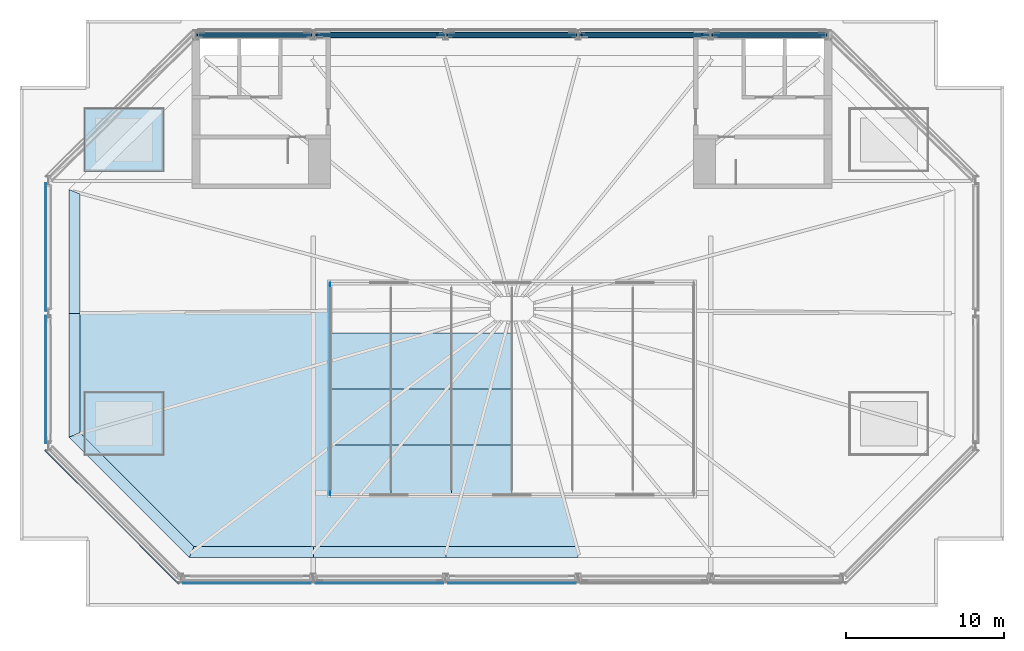
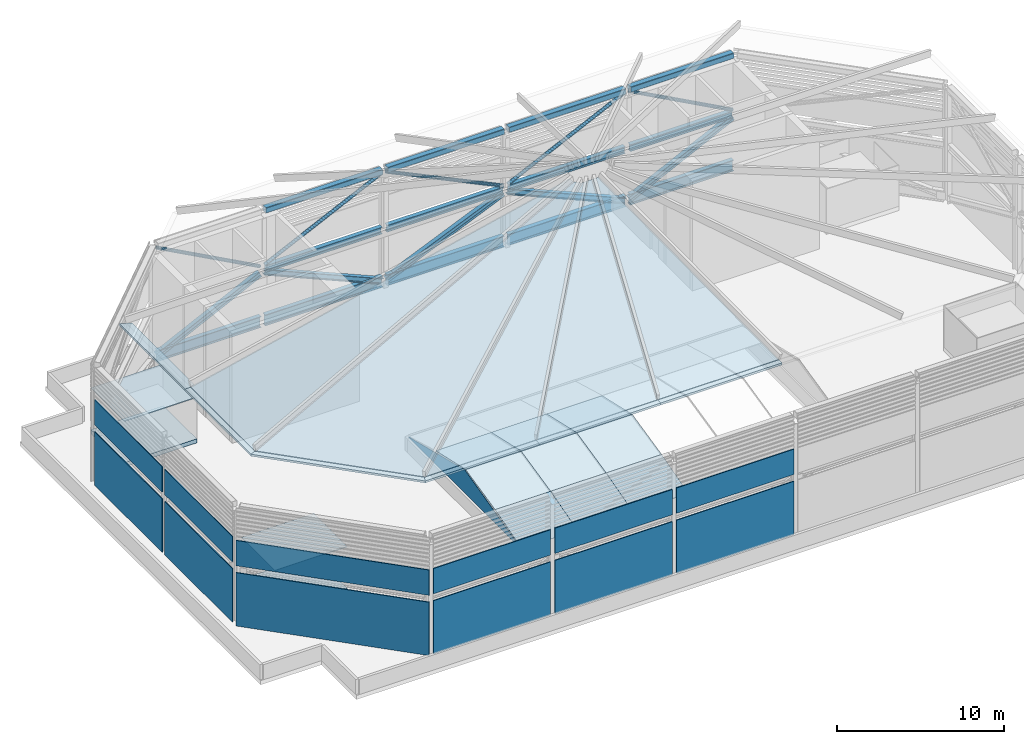
# One storey, part 5 of 22: 35 plates, 13 beams, 10 members, 2 slabs.
"""IFC4 building model written with IfcOpenShell, lengths in metres."""

from ifc_helpers import new_model, si_unit, direction, frame, origin, origin_2d, place, context, subcontext, project, spatial, polyline, rectangle, hollow_rectangle, hollow_circle, i_section, outline, extrude, material, layer, layer_set, material_profile, profile_set, type_object, element, save


model = new_model("IFC4")

# Units and contexts
model_context = context("Model", 3, precision=1e-05, world=origin(), true_north=direction((0.0, 1.0)))
body_context = subcontext(model_context, "Body", "Model", "MODEL_VIEW")
ifc_project = project(units=[si_unit("LENGTHUNIT", "METRE"), si_unit("AREAUNIT", "SQUARE_METRE"), si_unit("VOLUMEUNIT", "CUBIC_METRE"), si_unit("PLANEANGLEUNIT", "RADIAN"), si_unit("MASSUNIT", "GRAM", prefix="KILO")], contexts=[model_context])

# Site, building, storey
site_placement = place(None, origin())
site = spatial("IfcSite", under=ifc_project, at=site_placement, CompositionType="ELEMENT")
building_placement = place(site_placement, origin())
building = spatial("IfcBuilding", under=site, at=building_placement, Name="Saffron Gate Tower", CompositionType="ELEMENT")
storey_placement = place(building_placement, frame((0.0, 0.0, 314.85009765625)))
storey = spatial("IfcBuildingStorey", under=building, at=storey_placement, Name="Roof crown", CompositionType="ELEMENT", Elevation=314.85009765625)

# Members
ifc_material_1 = material(Name="Structural steel S355", Category="steel")
ifc_material_profile_1 = material_profile(ifc_material_1, hollow_circle(Radius=0.122314453125, WallThickness=0.010009765625, at=origin_2d()))
ifc_profile_set_1 = profile_set([ifc_material_profile_1], Name="Structural steel S355")
member_type_1 = type_object("IfcMemberType", Name="CF1 CHS 244.5x10", PredefinedType="BRACE", material=ifc_profile_set_1)
member_1_placement = place(storey_placement, frame((107.47998046875, 74.64990234375, 4.39990234375), z_axis=(-0.879347811682, 0.0, 0.476180035376), x_axis=(0.0, -1.0, 0.0)))
element("IfcMember", 1, at=member_1_placement, inside=storey, type_object=member_type_1, Name="CF1 CROWN FRAME BRACE", PredefinedType="BRACE", context=body_context, shape_type="SweptSolid", body=[
    extrude(hollow_circle(Radius=0.122314453125, WallThickness=0.010009765625, at=origin_2d()), origin(), (0.0, 0.0, 1.0), 8.08544921875),
])
member_2_placement = place(storey_placement, frame((91.969970703125, 74.64990234375, 4.39990234375), z_axis=(0.902339488073, 0.0, 0.431026041283), x_axis=(0.0, 1.0, 0.0)))
element("IfcMember", 2, at=member_2_placement, inside=storey, type_object=member_type_1, Name="CF1 CROWN FRAME BRACE", PredefinedType="BRACE", context=body_context, shape_type="SweptSolid", body=[
    extrude(hollow_circle(Radius=0.122314453125, WallThickness=0.010009765625, at=origin_2d()), origin(), (0.0, 0.0, 1.0), 8.932373046875),
])
member_3_placement = place(storey_placement, frame((91.6298828125, 74.64990234375, 4.39990234375), z_axis=(-0.902334410047, 0.0, 0.431036671809), x_axis=(0.0, -1.0, 0.0)))
element("IfcMember", 3, at=member_3_placement, inside=storey, type_object=member_type_1, Name="CF1 CROWN FRAME BRACE", PredefinedType="BRACE", context=body_context, shape_type="SweptSolid", body=[
    extrude(hollow_circle(Radius=0.122314453125, WallThickness=0.010009765625, at=origin_2d()), origin(), (0.0, 0.0, 1.0), 8.93212890625),
])
member_4_placement = place(storey_placement, frame((75.169921875, 74.64990234375, 4.39990234375), z_axis=(0.902339488073, 0.0, 0.431026041283), x_axis=(0.0, 1.0, 0.0)))
element("IfcMember", 4, at=member_4_placement, inside=storey, type_object=member_type_1, Name="CF1 CROWN FRAME BRACE", PredefinedType="BRACE", context=body_context, shape_type="SweptSolid", body=[
    extrude(hollow_circle(Radius=0.122314453125, WallThickness=0.010009765625, at=origin_2d()), origin(), (0.0, 0.0, 1.0), 8.932373046875),
])
member_5_placement = place(storey_placement, frame((74.830078125, 74.64990234375, 4.39990234375), z_axis=(-0.879354658118, 0.0, 0.476167392045), x_axis=(0.0, -1.0, 0.0)))
element("IfcMember", 5, at=member_5_placement, inside=storey, type_object=member_type_1, Name="CF1 CROWN FRAME BRACE", PredefinedType="BRACE", context=body_context, shape_type="SweptSolid", body=[
    extrude(hollow_circle(Radius=0.122314453125, WallThickness=0.010009765625, at=origin_2d()), origin(), (0.0, 0.0, 1.0), 8.085693359375),
])
ifc_material_profile_2 = material_profile(ifc_material_1, i_section(OverallWidth=0.300048828125, OverallDepth=0.39990234375, WebThickness=0.013427734375, FlangeThickness=0.02392578125, FilletRadius=0.027099609375, at=origin_2d()))
ifc_profile_set_2 = profile_set([ifc_material_profile_2], Name="Structural steel S355")
member_type_2 = type_object("IfcMemberType", Name="CF2 HEB 400", PredefinedType="BRACE", material=ifc_profile_set_2)
member_6_placement = place(storey_placement, frame((100.340087890625, 74.64990234375, 0.39990234375), z_axis=(0.897918105412, 0.0, 0.440162556306), x_axis=(0.0, 1.0, 0.0)))
element("IfcMember", 6, at=member_6_placement, inside=storey, type_object=member_type_2, Name="CF2 CROWN FRAME BRACE", PredefinedType="BRACE", context=body_context, shape_type="SweptSolid", body=[
    extrude(i_section(OverallWidth=0.300048828125, OverallDepth=0.39990234375, WebThickness=0.013427734375, FlangeThickness=0.02392578125, FilletRadius=0.027099609375, at=origin_2d()), origin(), (0.0, 0.0, 1.0), 7.95166015625),
])
member_7_placement = place(storey_placement, frame((100.06005859375, 74.64990234375, 0.39990234375), z_axis=(-0.917791573619, 0.0, 0.397062498096), x_axis=(0.0, -1.0, 0.0)))
element("IfcMember", 7, at=member_7_placement, inside=storey, type_object=member_type_2, Name="CF2 CROWN FRAME BRACE", PredefinedType="BRACE", context=body_context, shape_type="SweptSolid", body=[
    extrude(i_section(OverallWidth=0.300048828125, OverallDepth=0.39990234375, WebThickness=0.013427734375, FlangeThickness=0.02392578125, FilletRadius=0.027099609375, at=origin_2d()), origin(), (0.0, 0.0, 1.0), 8.814697265625),
])
member_8_placement = place(storey_placement, frame((83.5400390625, 74.64990234375, 0.39990234375), z_axis=(0.9177872068, 0.0, 0.397072591643), x_axis=(0.0, 1.0, 0.0)))
element("IfcMember", 8, at=member_8_placement, inside=storey, type_object=member_type_2, Name="CF2 CROWN FRAME BRACE", PredefinedType="BRACE", context=body_context, shape_type="SweptSolid", body=[
    extrude(i_section(OverallWidth=0.300048828125, OverallDepth=0.39990234375, WebThickness=0.013427734375, FlangeThickness=0.02392578125, FilletRadius=0.027099609375, at=origin_2d()), origin(), (0.0, 0.0, 1.0), 8.814453125),
])
member_9_placement = place(storey_placement, frame((83.260009765625, 74.64990234375, 0.39990234375), z_axis=(-0.917791573619, 0.0, 0.397062498096), x_axis=(0.0, -1.0, 0.0)))
element("IfcMember", 9, at=member_9_placement, inside=storey, type_object=member_type_2, Name="CF2 CROWN FRAME BRACE", PredefinedType="BRACE", context=body_context, shape_type="SweptSolid", body=[
    extrude(i_section(OverallWidth=0.300048828125, OverallDepth=0.39990234375, WebThickness=0.013427734375, FlangeThickness=0.02392578125, FilletRadius=0.027099609375, at=origin_2d()), origin(), (0.0, 0.0, 1.0), 8.814697265625),
])
member_10_placement = place(storey_placement, frame((67.68994140625, 74.64990234375, 0.39990234375), z_axis=(0.897924053718, 0.0, 0.440150421736), x_axis=(0.0, 1.0, 0.0)))
element("IfcMember", 10, at=member_10_placement, inside=storey, type_object=member_type_2, Name="CF2 CROWN FRAME BRACE", PredefinedType="BRACE", context=body_context, shape_type="SweptSolid", body=[
    extrude(i_section(OverallWidth=0.300048828125, OverallDepth=0.39990234375, WebThickness=0.013427734375, FlangeThickness=0.02392578125, FilletRadius=0.027099609375, at=origin_2d()), origin(), (0.0, 0.0, 1.0), 7.951904296875),
])

# Beams
ifc_material_profile_3 = material_profile(ifc_material_1, hollow_rectangle(XDim=0.39990234375, YDim=0.39990234375, WallThickness=0.01611328125, InnerFilletRadius=0.031982421875, OuterFilletRadius=0.048095703125, at=origin_2d()))
ifc_profile_set_3 = profile_set([ifc_material_profile_3], Name="Structural steel S355")
beam_type_1 = type_object("IfcBeamType", Name="CF4 SHS 400x400x16", PredefinedType="BEAM", material=ifc_profile_set_3)
beam_1_placement = place(storey_placement, frame((107.47998046875, 74.64990234375, 8.449951171875), z_axis=(-1.0, 0.0, 0.0), x_axis=(0.0, -1.0, 0.0)))
element("IfcBeam", 11, at=beam_1_placement, inside=storey, type_object=beam_type_1, Name="CF4 CROWN FRAME TOP RING BEAM", PredefinedType="BEAM", context=body_context, shape_type="SweptSolid", body=[
    extrude(hollow_rectangle(XDim=0.39990234375, YDim=0.39990234375, WallThickness=0.01611328125, InnerFilletRadius=0.031982421875, OuterFilletRadius=0.048095703125, at=origin_2d()), origin(), (0.0, 0.0, 1.0), 7.10986328125),
])
beam_2_placement = place(storey_placement, frame((100.030029296875, 74.64990234375, 8.449951171875), z_axis=(-1.0, 0.0, 0.0), x_axis=(0.0, -1.0, 0.0)))
element("IfcBeam", 12, at=beam_2_placement, inside=storey, type_object=beam_type_1, Name="CF4 CROWN FRAME TOP RING BEAM", PredefinedType="BEAM", context=body_context, shape_type="SweptSolid", body=[
    extrude(hollow_rectangle(XDim=0.39990234375, YDim=0.39990234375, WallThickness=0.01611328125, InnerFilletRadius=0.031982421875, OuterFilletRadius=0.048095703125, at=origin_2d()), origin(), (0.0, 0.0, 1.0), 8.06005859375),
])
beam_3_placement = place(storey_placement, frame((91.6298828125, 74.64990234375, 8.449951171875), z_axis=(-1.0, 0.0, 0.0), x_axis=(0.0, -1.0, 0.0)))
element("IfcBeam", 13, at=beam_3_placement, inside=storey, type_object=beam_type_1, Name="CF4 CROWN FRAME TOP RING BEAM", PredefinedType="BEAM", context=body_context, shape_type="SweptSolid", body=[
    extrude(hollow_rectangle(XDim=0.39990234375, YDim=0.39990234375, WallThickness=0.01611328125, InnerFilletRadius=0.031982421875, OuterFilletRadius=0.048095703125, at=origin_2d()), origin(), (0.0, 0.0, 1.0), 8.059814453125),
])
beam_4_placement = place(storey_placement, frame((83.22998046875, 74.64990234375, 8.449951171875), z_axis=(-1.0, 0.0, 0.0), x_axis=(0.0, -1.0, 0.0)))
element("IfcBeam", 14, at=beam_4_placement, inside=storey, type_object=beam_type_1, Name="CF4 CROWN FRAME TOP RING BEAM", PredefinedType="BEAM", context=body_context, shape_type="SweptSolid", body=[
    extrude(hollow_rectangle(XDim=0.39990234375, YDim=0.39990234375, WallThickness=0.01611328125, InnerFilletRadius=0.031982421875, OuterFilletRadius=0.048095703125, at=origin_2d()), origin(), (0.0, 0.0, 1.0), 8.06005859375),
])
ifc_material_profile_4 = material_profile(ifc_material_1, i_section(OverallWidth=0.300048828125, OverallDepth=0.5, WebThickness=0.014404296875, FlangeThickness=0.028076171875, FilletRadius=0.027099609375, at=origin_2d()))
ifc_profile_set_4 = profile_set([ifc_material_profile_4], Name="Structural steel S355")
beam_type_2 = type_object("IfcBeamType", Name="CF5 HEB 500", PredefinedType="BEAM", material=ifc_profile_set_4)
beam_5_placement = place(storey_placement, frame((107.47998046875, 74.64990234375, 4.14990234375), z_axis=(-1.0, 0.0, 0.0), x_axis=(0.0, -1.0, 0.0)))
element("IfcBeam", 15, at=beam_5_placement, inside=storey, type_object=beam_type_2, Name="CF5 CROWN FRAME MID RING BEAM", PredefinedType="BEAM", context=body_context, shape_type="SweptSolid", body=[
    extrude(i_section(OverallWidth=0.300048828125, OverallDepth=0.5, WebThickness=0.014404296875, FlangeThickness=0.028076171875, FilletRadius=0.027099609375, at=origin_2d()), origin(), (0.0, 0.0, 1.0), 7.10986328125),
])
beam_6_placement = place(storey_placement, frame((100.030029296875, 74.64990234375, 4.14990234375), z_axis=(-1.0, 0.0, 0.0), x_axis=(0.0, -1.0, 0.0)))
element("IfcBeam", 16, at=beam_6_placement, inside=storey, type_object=beam_type_2, Name="CF5 CROWN FRAME MID RING BEAM", PredefinedType="BEAM", context=body_context, shape_type="SweptSolid", body=[
    extrude(i_section(OverallWidth=0.300048828125, OverallDepth=0.5, WebThickness=0.014404296875, FlangeThickness=0.028076171875, FilletRadius=0.027099609375, at=origin_2d()), origin(), (0.0, 0.0, 1.0), 8.06005859375),
])
beam_7_placement = place(storey_placement, frame((91.6298828125, 74.64990234375, 4.14990234375), z_axis=(-1.0, 0.0, 0.0), x_axis=(0.0, -1.0, 0.0)))
element("IfcBeam", 17, at=beam_7_placement, inside=storey, type_object=beam_type_2, Name="CF5 CROWN FRAME MID RING BEAM", PredefinedType="BEAM", context=body_context, shape_type="SweptSolid", body=[
    extrude(i_section(OverallWidth=0.300048828125, OverallDepth=0.5, WebThickness=0.014404296875, FlangeThickness=0.028076171875, FilletRadius=0.027099609375, at=origin_2d()), origin(), (0.0, 0.0, 1.0), 8.059814453125),
])
beam_8_placement = place(storey_placement, frame((83.22998046875, 74.64990234375, 4.14990234375), z_axis=(-1.0, 0.0, 0.0), x_axis=(0.0, -1.0, 0.0)))
element("IfcBeam", 18, at=beam_8_placement, inside=storey, type_object=beam_type_2, Name="CF5 CROWN FRAME MID RING BEAM", PredefinedType="BEAM", context=body_context, shape_type="SweptSolid", body=[
    extrude(i_section(OverallWidth=0.300048828125, OverallDepth=0.5, WebThickness=0.014404296875, FlangeThickness=0.028076171875, FilletRadius=0.027099609375, at=origin_2d()), origin(), (0.0, 0.0, 1.0), 8.06005859375),
])
ifc_material_profile_5 = material_profile(ifc_material_1, i_section(OverallWidth=0.300048828125, OverallDepth=0.800048828125, WebThickness=0.017578125, FlangeThickness=0.032958984375, FilletRadius=0.030029296875, at=origin_2d()))
ifc_profile_set_5 = profile_set([ifc_material_profile_5], Name="Structural steel S355")
beam_type_3 = type_object("IfcBeamType", Name="CF6 HEB 800", PredefinedType="BEAM", material=ifc_profile_set_5)
beam_9_placement = place(storey_placement, frame((107.510009765625, 74.64990234375, 0.39990234375), z_axis=(-1.0, 0.0, 0.0), x_axis=(0.0, -1.0, 0.0)))
element("IfcBeam", 19, at=beam_9_placement, inside=storey, type_object=beam_type_3, Name="CF6 CROWN FRAME SILL BEAM", PredefinedType="BEAM", context=body_context, shape_type="SweptSolid", body=[
    extrude(i_section(OverallWidth=0.300048828125, OverallDepth=0.800048828125, WebThickness=0.017578125, FlangeThickness=0.032958984375, FilletRadius=0.030029296875, at=origin_2d()), origin(), (0.0, 0.0, 1.0), 7.169921875),
])
beam_10_placement = place(storey_placement, frame((100.06005859375, 74.64990234375, 0.39990234375), z_axis=(-1.0, 0.0, 0.0), x_axis=(0.0, -1.0, 0.0)))
element("IfcBeam", 20, at=beam_10_placement, inside=storey, type_object=beam_type_3, Name="CF6 CROWN FRAME SILL BEAM", PredefinedType="BEAM", context=body_context, shape_type="SweptSolid", body=[
    extrude(i_section(OverallWidth=0.300048828125, OverallDepth=0.800048828125, WebThickness=0.017578125, FlangeThickness=0.032958984375, FilletRadius=0.030029296875, at=origin_2d()), origin(), (0.0, 0.0, 1.0), 8.1201171875),
])
beam_11_placement = place(storey_placement, frame((91.659912109375, 74.64990234375, 0.39990234375), z_axis=(-1.0, 0.0, 0.0), x_axis=(0.0, -1.0, 0.0)))
element("IfcBeam", 21, at=beam_11_placement, inside=storey, type_object=beam_type_3, Name="CF6 CROWN FRAME SILL BEAM", PredefinedType="BEAM", context=body_context, shape_type="SweptSolid", body=[
    extrude(i_section(OverallWidth=0.300048828125, OverallDepth=0.800048828125, WebThickness=0.017578125, FlangeThickness=0.032958984375, FilletRadius=0.030029296875, at=origin_2d()), origin(), (0.0, 0.0, 1.0), 8.119873046875),
])
beam_12_placement = place(storey_placement, frame((83.260009765625, 74.64990234375, 0.39990234375), z_axis=(-1.0, 0.0, 0.0), x_axis=(0.0, -1.0, 0.0)))
element("IfcBeam", 22, at=beam_12_placement, inside=storey, type_object=beam_type_3, Name="CF6 CROWN FRAME SILL BEAM", PredefinedType="BEAM", context=body_context, shape_type="SweptSolid", body=[
    extrude(i_section(OverallWidth=0.300048828125, OverallDepth=0.800048828125, WebThickness=0.017578125, FlangeThickness=0.032958984375, FilletRadius=0.030029296875, at=origin_2d()), origin(), (0.0, 0.0, 1.0), 8.1201171875),
])
beam_13_placement = place(storey_placement, frame((74.860107421875, 74.64990234375, 0.39990234375), z_axis=(-1.0, 0.0, 0.0), x_axis=(0.0, -1.0, 0.0)))
element("IfcBeam", 23, at=beam_13_placement, inside=storey, type_object=beam_type_3, Name="CF6 CROWN FRAME SILL BEAM", PredefinedType="BEAM", context=body_context, shape_type="SweptSolid", body=[
    extrude(i_section(OverallWidth=0.300048828125, OverallDepth=0.800048828125, WebThickness=0.017578125, FlangeThickness=0.032958984375, FilletRadius=0.030029296875, at=origin_2d()), origin(), (0.0, 0.0, 1.0), 7.170166015625),
])

# Plates
ifc_material_2 = material(Name="Bronze-anodised aluminium cap", Category="aluminium")
ifc_layer_1 = layer(ifc_material_2, 0.14990234375)
ifc_layer_set_1 = layer_set([ifc_layer_1], Name="CP1 crown ring cap")
plate_type_1 = type_object("IfcPlateType", Name="CP1 crown ring cap", PredefinedType="SHEET", material=ifc_layer_set_1)
plate_1_placement = place(storey_placement, frame((0.0, 0.0, 11.349853515625)))
element("IfcPlate", 24, at=plate_1_placement, inside=storey, type_object=plate_type_1, Name="CROWN RING CAP", PredefinedType="SHEET", context=body_context, shape_type="SweptSolid", body=[
    extrude(outline(polyline([(67.428466796875, 42.199951171875), (75.0, 42.199951171875), (75.0, 41.5), (67.138427734375, 41.5), (67.428466796875, 42.199951171875)])), origin(), (0.0, 0.0, 1.0), 0.150146484375),
])
plate_2_placement = place(storey_placement, frame((0.0, 0.0, 11.349853515625)))
element("IfcPlate", 25, at=plate_2_placement, inside=storey, type_object=plate_type_1, Name="CROWN RING CAP", PredefinedType="SHEET", context=body_context, shape_type="SweptSolid", body=[
    extrude(outline(polyline([(75.0, 42.199951171875), (83.39990234375, 42.199951171875), (83.39990234375, 41.5), (75.0, 41.5), (75.0, 42.199951171875)])), origin(), (0.0, 0.0, 1.0), 0.150146484375),
])
plate_3_placement = place(storey_placement, frame((0.0, 0.0, 11.349853515625)))
element("IfcPlate", 26, at=plate_3_placement, inside=storey, type_object=plate_type_1, Name="CROWN RING CAP", PredefinedType="SHEET", context=body_context, shape_type="SweptSolid", body=[
    extrude(outline(polyline([(83.39990234375, 42.199951171875), (91.800048828125, 42.199951171875), (91.800048828125, 41.5), (83.39990234375, 41.5), (83.39990234375, 42.199951171875)])), origin(), (0.0, 0.0, 1.0), 0.150146484375),
])
plate_4_placement = place(storey_placement, frame((0.0, 0.0, 11.349853515625)))
element("IfcPlate", 27, at=plate_4_placement, inside=storey, type_object=plate_type_1, Name="CROWN RING CAP", PredefinedType="SHEET", context=body_context, shape_type="SweptSolid", body=[
    extrude(outline(polyline([(60.199951171875, 64.565185546875), (60.199951171875, 57.0), (59.5, 57.0), (59.5, 64.857421875), (60.199951171875, 64.565185546875)])), origin(), (0.0, 0.0, 1.0), 0.150146484375),
])
plate_5_placement = place(storey_placement, frame((0.0, 0.0, 11.349853515625)))
element("IfcPlate", 28, at=plate_5_placement, inside=storey, type_object=plate_type_1, Name="CROWN RING CAP", PredefinedType="SHEET", context=body_context, shape_type="SweptSolid", body=[
    extrude(outline(polyline([(60.199951171875, 57.0), (60.199951171875, 49.428466796875), (59.5, 49.138427734375), (59.5, 57.0), (60.199951171875, 57.0)])), origin(), (0.0, 0.0, 1.0), 0.150146484375),
])
plate_6_placement = place(storey_placement, frame((0.0, 0.0, 11.349853515625)))
element("IfcPlate", 29, at=plate_6_placement, inside=storey, type_object=plate_type_1, Name="CROWN RING CAP", PredefinedType="SHEET", context=body_context, shape_type="SweptSolid", body=[
    extrude(outline(polyline([(60.199951171875, 49.428466796875), (67.428466796875, 42.199951171875), (67.138427734375, 41.5), (59.5, 49.138427734375), (60.199951171875, 49.428466796875)])), origin(), (0.0, 0.0, 1.0), 0.150146484375),
])
ifc_material_3 = material(Name="Perforated bronze sheet, geometric pattern")
ifc_layer_2 = layer(ifc_material_3, 0.06005859375)
ifc_layer_set_2 = layer_set([ifc_layer_2], Name="CS1 crown screen")
plate_type_2 = type_object("IfcPlateType", Name="CS1 crown screen", PredefinedType="SHEET", material=ifc_layer_set_2)
plate_7_placement = place(storey_placement, frame((70.800048828125, 39.8701171875, 0.0), z_axis=(0.0, 0.0, 1.0), x_axis=(1.0, 0.0, 0.0)))
element("IfcPlate", 30, at=plate_7_placement, inside=storey, type_object=plate_type_2, Name="CROWN SCREEN geometric 1", PredefinedType="SHEET", context=body_context, shape_type="SweptSolid", body=[
    extrude(rectangle(XDim=8.10009765625, YDim=0.06005859375, at=origin_2d()), origin(), (0.0, 0.0, 1.0), 3.89990234375),
])
plate_8_placement = place(storey_placement, frame((70.800048828125, 39.8701171875, 4.39990234375), z_axis=(0.0, 0.0, 1.0), x_axis=(1.0, 0.0, 0.0)))
element("IfcPlate", 31, at=plate_8_placement, inside=storey, type_object=plate_type_2, Name="CROWN SCREEN geometric 1", PredefinedType="SHEET", context=body_context, shape_type="SweptSolid", body=[
    extrude(rectangle(XDim=8.10009765625, YDim=0.06005859375, at=origin_2d()), origin(), (0.0, 0.0, 1.0), 1.85009765625),
])
plate_9_placement = place(storey_placement, frame((79.199951171875, 39.8701171875, 0.0), z_axis=(0.0, 0.0, 1.0), x_axis=(1.0, 0.0, 0.0)))
element("IfcPlate", 32, at=plate_9_placement, inside=storey, type_object=plate_type_2, Name="CROWN SCREEN geometric 2", PredefinedType="SHEET", context=body_context, shape_type="SweptSolid", body=[
    extrude(rectangle(XDim=8.10009765625, YDim=0.06005859375, at=origin_2d()), origin(), (0.0, 0.0, 1.0), 3.89990234375),
])
plate_10_placement = place(storey_placement, frame((79.199951171875, 39.8701171875, 4.39990234375), z_axis=(0.0, 0.0, 1.0), x_axis=(1.0, 0.0, 0.0)))
element("IfcPlate", 33, at=plate_10_placement, inside=storey, type_object=plate_type_2, Name="CROWN SCREEN geometric 2", PredefinedType="SHEET", context=body_context, shape_type="SweptSolid", body=[
    extrude(rectangle(XDim=8.10009765625, YDim=0.06005859375, at=origin_2d()), origin(), (0.0, 0.0, 1.0), 1.85009765625),
])
plate_11_placement = place(storey_placement, frame((87.60009765625, 39.8701171875, 0.0), z_axis=(0.0, 0.0, 1.0), x_axis=(1.0, 0.0, 0.0)))
element("IfcPlate", 34, at=plate_11_placement, inside=storey, type_object=plate_type_2, Name="CROWN SCREEN geometric 3", PredefinedType="SHEET", context=body_context, shape_type="SweptSolid", body=[
    extrude(rectangle(XDim=8.10009765625, YDim=0.06005859375, at=origin_2d()), origin(), (0.0, 0.0, 1.0), 3.89990234375),
])
plate_12_placement = place(storey_placement, frame((87.60009765625, 39.8701171875, 4.39990234375), z_axis=(0.0, 0.0, 1.0), x_axis=(1.0, 0.0, 0.0)))
element("IfcPlate", 35, at=plate_12_placement, inside=storey, type_object=plate_type_2, Name="CROWN SCREEN geometric 3", PredefinedType="SHEET", context=body_context, shape_type="SweptSolid", body=[
    extrude(rectangle(XDim=8.10009765625, YDim=0.06005859375, at=origin_2d()), origin(), (0.0, 0.0, 1.0), 1.85009765625),
])
plate_13_placement = place(storey_placement, frame((58.02001953125, 61.199951171875, 0.0), z_axis=(0.0, 0.0, 1.0), x_axis=(0.0, -1.0, 0.0)))
element("IfcPlate", 36, at=plate_13_placement, inside=storey, type_object=plate_type_2, Name="CROWN SCREEN geometric 16", PredefinedType="SHEET", context=body_context, shape_type="SweptSolid", body=[
    extrude(rectangle(XDim=8.10009765625, YDim=0.06005859375, at=origin_2d()), origin(), (0.0, 0.0, 1.0), 3.89990234375),
])
plate_14_placement = place(storey_placement, frame((58.02001953125, 61.199951171875, 4.39990234375), z_axis=(0.0, 0.0, 1.0), x_axis=(0.0, -1.0, 0.0)))
element("IfcPlate", 37, at=plate_14_placement, inside=storey, type_object=plate_type_2, Name="CROWN SCREEN geometric 16", PredefinedType="SHEET", context=body_context, shape_type="SweptSolid", body=[
    extrude(rectangle(XDim=8.10009765625, YDim=0.06005859375, at=origin_2d()), origin(), (0.0, 0.0, 1.0), 1.85009765625),
])
plate_15_placement = place(storey_placement, frame((58.02001953125, 52.800048828125, 0.0), z_axis=(0.0, 0.0, 1.0), x_axis=(0.0, -1.0, 0.0)))
element("IfcPlate", 38, at=plate_15_placement, inside=storey, type_object=plate_type_2, Name="CROWN SCREEN geometric 17", PredefinedType="SHEET", context=body_context, shape_type="SweptSolid", body=[
    extrude(rectangle(XDim=8.10009765625, YDim=0.06005859375, at=origin_2d()), origin(), (0.0, 0.0, 1.0), 3.89990234375),
])
plate_16_placement = place(storey_placement, frame((58.02001953125, 52.800048828125, 4.39990234375), z_axis=(0.0, 0.0, 1.0), x_axis=(0.0, -1.0, 0.0)))
element("IfcPlate", 39, at=plate_16_placement, inside=storey, type_object=plate_type_2, Name="CROWN SCREEN geometric 17", PredefinedType="SHEET", context=body_context, shape_type="SweptSolid", body=[
    extrude(rectangle(XDim=8.10009765625, YDim=0.06005859375, at=origin_2d()), origin(), (0.0, 0.0, 1.0), 1.85009765625),
])
plate_17_placement = place(storey_placement, frame((62.229248046875, 44.079345703125, 0.0), z_axis=(0.0, 0.0, 1.0), x_axis=(0.707106781187, -0.707106781187, 0.0)))
element("IfcPlate", 40, at=plate_17_placement, inside=storey, type_object=plate_type_2, Name="CROWN SCREEN geometric 18", PredefinedType="SHEET", context=body_context, shape_type="SweptSolid", body=[
    extrude(rectangle(XDim=11.9794921875, YDim=0.06005859375, at=origin_2d()), origin(), (0.0, 0.0, 1.0), 3.89990234375),
])
plate_18_placement = place(storey_placement, frame((62.229248046875, 44.079345703125, 4.39990234375), z_axis=(0.0, 0.0, 1.0), x_axis=(0.707106781187, -0.707106781187, 0.0)))
element("IfcPlate", 41, at=plate_18_placement, inside=storey, type_object=plate_type_2, Name="CROWN SCREEN geometric 18", PredefinedType="SHEET", context=body_context, shape_type="SweptSolid", body=[
    extrude(rectangle(XDim=11.9794921875, YDim=0.06005859375, at=origin_2d()), origin(), (0.0, 0.0, 1.0), 1.85009765625),
])
ifc_material_4 = material(Name="Clear low-iron laminated glass in bronze frame", Category="glass")
ifc_layer_3 = layer(ifc_material_4, 0.0400390625)
ifc_layer_set_3 = layer_set([ifc_layer_3], Name="DM1 glass roof pane")
plate_type_3 = type_object("IfcPlateType", Name="DM1 glass roof pane", PredefinedType="SHEET", material=ifc_layer_set_3)
plate_19_placement = place(storey_placement, frame((67.283447265625, 41.85009765625, 11.537109375), z_axis=(0.0, -0.368969047618, 0.929441682894), x_axis=(1.0, 0.0, 0.0)))
element("IfcPlate", 42, at=plate_19_placement, inside=storey, type_object=plate_type_3, Name="FACETED GLASS ROOF pane", PredefinedType="SHEET", context=body_context, shape_type="SweptSolid", body=[
    extrude(outline(polyline([(0.0, 0.0), (7.716552734375, 0.0), (19.6865234375, 15.773866119531721), (19.30078125, 15.773866119531721), (0.0, 0.0)])), origin(), (0.0, 0.0, -1.0), 0.0400390625),
])
plate_20_placement = place(storey_placement, frame((75.0, 41.85009765625, 11.537109375), z_axis=(0.0, -0.368969047618, 0.929441682894), x_axis=(1.0, 0.0, 0.0)))
element("IfcPlate", 43, at=plate_20_placement, inside=storey, type_object=plate_type_3, Name="FACETED GLASS ROOF pane", PredefinedType="SHEET", context=body_context, shape_type="SweptSolid", body=[
    extrude(outline(polyline([(0.0, 0.0), (8.39990234375, 0.0), (12.389892578125, 15.77386611953172), (11.969970703125, 15.77386611953172), (0.0, 0.0)])), origin(), (0.0, 0.0, -1.0), 0.0400390625),
])
plate_21_placement = place(storey_placement, frame((83.39990234375, 41.85009765625, 11.537109375), z_axis=(0.0, -0.368969047618, 0.929441682894), x_axis=(1.0, 0.0, 0.0)))
element("IfcPlate", 44, at=plate_21_placement, inside=storey, type_object=plate_type_3, Name="FACETED GLASS ROOF pane", PredefinedType="SHEET", context=body_context, shape_type="SweptSolid", body=[
    extrude(outline(polyline([(0.0, 0.0), (8.400146484375, 0.0), (4.41015625, 15.773866119531721), (3.989990234375, 15.773866119531721), (0.0, 0.0)])), origin(), (0.0, 0.0, -1.0), 0.0400390625),
])
plate_22_placement = place(storey_placement, frame((59.85009765625, 57.0, 11.5390625), z_axis=(-0.215572486983, 0.0, 0.976487840608), x_axis=(0.0, -1.0, 0.0)))
element("IfcPlate", 45, at=plate_22_placement, inside=storey, type_object=plate_type_3, Name="FACETED GLASS ROOF pane", PredefinedType="SHEET", context=body_context, shape_type="SweptSolid", body=[
    extrude(outline(polyline([(0.0, 0.0), (7.716552734375, 0.0), (0.1171875, 26.997063958396172), (-0.2685546875, 26.997063958396172), (0.0, 0.0)])), origin(), (0.0, 0.0, -1.0), 0.0400390625),
])
plate_23_placement = place(storey_placement, frame((59.85009765625, 49.283447265625, 11.538818359375), z_axis=(-0.166550179589, -0.166550179589, 0.971865255762), x_axis=(0.707106781187, -0.707106781187, 0.0)))
element("IfcPlate", 46, at=plate_23_placement, inside=storey, type_object=plate_type_3, Name="FACETED GLASS ROOF pane", PredefinedType="SHEET", context=body_context, shape_type="SweptSolid", body=[
    extrude(outline(polyline([(0.0, 0.0), (10.512343831438875, 0.0), (13.793243337408192, 24.709729008003965), (13.2674017222973, 24.709729008003965), (0.0, 0.0)])), origin(), (0.0, 0.0, -1.0), 0.0400390625),
])
ifc_material_5 = material(Name="Aluminium louvre, bronze anodised", Category="aluminium")
ifc_layer_4 = layer(ifc_material_5, 0.050048828125)
ifc_layer_set_4 = layer_set([ifc_layer_4], Name="LV1 louvre panel")
plate_type_4 = type_object("IfcPlateType", Name="LV1 louvre panel", PredefinedType="SHEET", material=ifc_layer_set_4)
plate_24_placement = place(storey_placement, frame((0.0, 0.0, 3.2998046875)))
element("IfcPlate", 47, at=plate_24_placement, inside=storey, type_object=plate_type_4, Name="LOUVRE plant enclosure roof", PredefinedType="SHEET", context=body_context, shape_type="SweptSolid", body=[
    extrude(outline(polyline([(60.5, 48.0), (65.5, 48.0), (65.5, 52.0), (60.5, 52.0), (60.5, 48.0)])), origin(), (0.0, 0.0, 1.0), 0.050048828125),
])
plate_25_placement = place(storey_placement, frame((0.0, 0.0, 3.2998046875)))
element("IfcPlate", 48, at=plate_25_placement, inside=storey, type_object=plate_type_4, Name="LOUVRE plant enclosure roof", PredefinedType="SHEET", context=body_context, shape_type="SweptSolid", body=[
    extrude(outline(polyline([(60.5, 66.0), (65.5, 66.0), (65.5, 70.0), (60.5, 70.0), (60.5, 66.0)])), origin(), (0.0, 0.0, 1.0), 0.050048828125),
])

# Slabs
ifc_material_6 = material(Name="Reinforced concrete C35/45", Category="concrete")
ifc_layer_5 = layer(ifc_material_6, 0.300048828125)
ifc_layer_set_5 = layer_set([ifc_layer_5], Name="PLT1 plant plinth")
slab_type = type_object("IfcSlabType", Name="PLT1 plant plinth", PredefinedType="FLOOR", material=ifc_layer_set_5)
slab_1_placement = place(storey_placement, origin())
element("IfcSlab", 49, at=slab_1_placement, inside=storey, type_object=slab_type, Name="PLANT PLINTH", PredefinedType="FLOOR", context=body_context, shape_type="SweptSolid", body=[
    extrude(outline(polyline([(60.5, 48.0), (65.5, 48.0), (65.5, 52.0), (60.5, 52.0), (60.5, 48.0)])), origin(), (0.0, 0.0, 1.0), 0.2998046875),
])
slab_2_placement = place(storey_placement, origin())
element("IfcSlab", 50, at=slab_2_placement, inside=storey, type_object=slab_type, Name="PLANT PLINTH", PredefinedType="FLOOR", context=body_context, shape_type="SweptSolid", body=[
    extrude(outline(polyline([(60.5, 66.0), (65.5, 66.0), (65.5, 70.0), (60.5, 70.0), (60.5, 66.0)])), origin(), (0.0, 0.0, 1.0), 0.2998046875),
])

# Plates
ifc_layer_6 = layer(ifc_material_4, 0.0400390625)
ifc_layer_set_6 = layer_set([ifc_layer_6], Name="SK1 faceted roof glazing")
plate_type_5 = type_object("IfcPlateType", Name="SK1 faceted roof glazing", PredefinedType="SHEET", material=ifc_layer_set_6)
for number, where, z_axis, x_axis, name in (
    (51, (76.090087890625, 45.449951171875, 1.039794921875), (0.0, -0.270790241578, 0.9626383771), (1.0, 0.0, 0.0), "FACETED GLASS ROOF pane"),
    (52, (79.9267578125, 45.449951171875, 1.039794921875), (0.0, -0.270790241578, 0.9626383771), (1.0, 0.0, 0.0), "FACETED GLASS ROOF pane"),
    (53, (83.763427734375, 45.449951171875, 1.039794921875), (0.0, -0.270790241578, 0.9626383771), (1.0, 0.0, 0.0), "FACETED GLASS ROOF pane"),
):
    element("IfcPlate", number, at=place(storey_placement, frame(where, z_axis=z_axis, x_axis=x_axis)), inside=storey, type_object=plate_type_5, Name=name, PredefinedType="SHEET", context=body_context, shape_type="SweptSolid", body=[
        extrude(outline(polyline([(0.0, 0.0), (3.836669921875, 0.0), (3.836669921875, 3.324146686853163), (0.0, 3.324146686853163), (0.0, 0.0)])), origin(), (0.0, 0.0, -1.0), 0.0400390625),
    ])
for number, where, z_axis, x_axis, name in (
    (54, (76.090087890625, 48.64990234375, 1.93994140625), (0.0, -0.219849021395, 0.975533909094), (1.0, 0.0, 0.0), "FACETED GLASS ROOF pane"),
    (55, (79.9267578125, 48.64990234375, 1.93994140625), (0.0, -0.219849021395, 0.975533909094), (1.0, 0.0, 0.0), "FACETED GLASS ROOF pane"),
    (56, (83.763427734375, 48.64990234375, 1.93994140625), (0.0, -0.219849021395, 0.975533909094), (1.0, 0.0, 0.0), "FACETED GLASS ROOF pane"),
    (57, (76.090087890625, 52.199951171875, 2.739990234375), (0.0, 0.219849021395, 0.975533909094), (1.0, 0.0, 0.0), "FACETED GLASS ROOF pane"),
    (58, (79.9267578125, 52.199951171875, 2.739990234375), (0.0, 0.219849021395, 0.975533909094), (1.0, 0.0, 0.0), "FACETED GLASS ROOF pane"),
    (59, (83.763427734375, 52.199951171875, 2.739990234375), (0.0, 0.219849021395, 0.975533909094), (1.0, 0.0, 0.0), "FACETED GLASS ROOF pane"),
):
    element("IfcPlate", number, at=place(storey_placement, frame(where, z_axis=z_axis, x_axis=x_axis)), inside=storey, type_object=plate_type_5, Name=name, PredefinedType="SHEET", context=body_context, shape_type="SweptSolid", body=[
        extrude(outline(polyline([(0.0, 0.0), (3.836669921875, 0.0), (3.836669921875, 3.6390829627058343), (0.0, 3.6390829627058343), (0.0, 0.0)])), origin(), (0.0, 0.0, -1.0), 0.0400390625),
    ])
ifc_material_7 = material(Name="Clear low-iron laminated glass", Category="glass")
ifc_layer_7 = layer(ifc_material_7, 0.0400390625)
ifc_layer_set_7 = layer_set([ifc_layer_7], Name="SK3 gable glazing")
plate_type_6 = type_object("IfcPlateType", Name="SK3 gable glazing", PredefinedType="SHEET", material=ifc_layer_set_7)
plate_26_placement = place(storey_placement, frame((76.070068359375, 45.449951171875, 1.0), z_axis=(0.0, 0.0, 1.0), x_axis=(0.0, 1.0, 0.0)))
element("IfcPlate", 60, at=plate_26_placement, inside=storey, type_object=plate_type_6, Name="FACETED GLASS ROOF gable glazing", PredefinedType="SHEET", context=body_context, shape_type="SweptSolid", body=[
    extrude(outline(polyline([(0.0, 0.0), (13.5, 0.0), (13.5, 0.02001953125), (6.75, 1.699951171875), (0.0, 0.02001953125), (0.0, 0.0)])), frame((0.0, 0.02001953125, 0.0), z_axis=(0.0, -1.0, 0.0), x_axis=(1.0, 0.0, 0.0)), (0.0, 0.0, 1.0), 0.0400390625),
])

save(model, "model.ifc")
